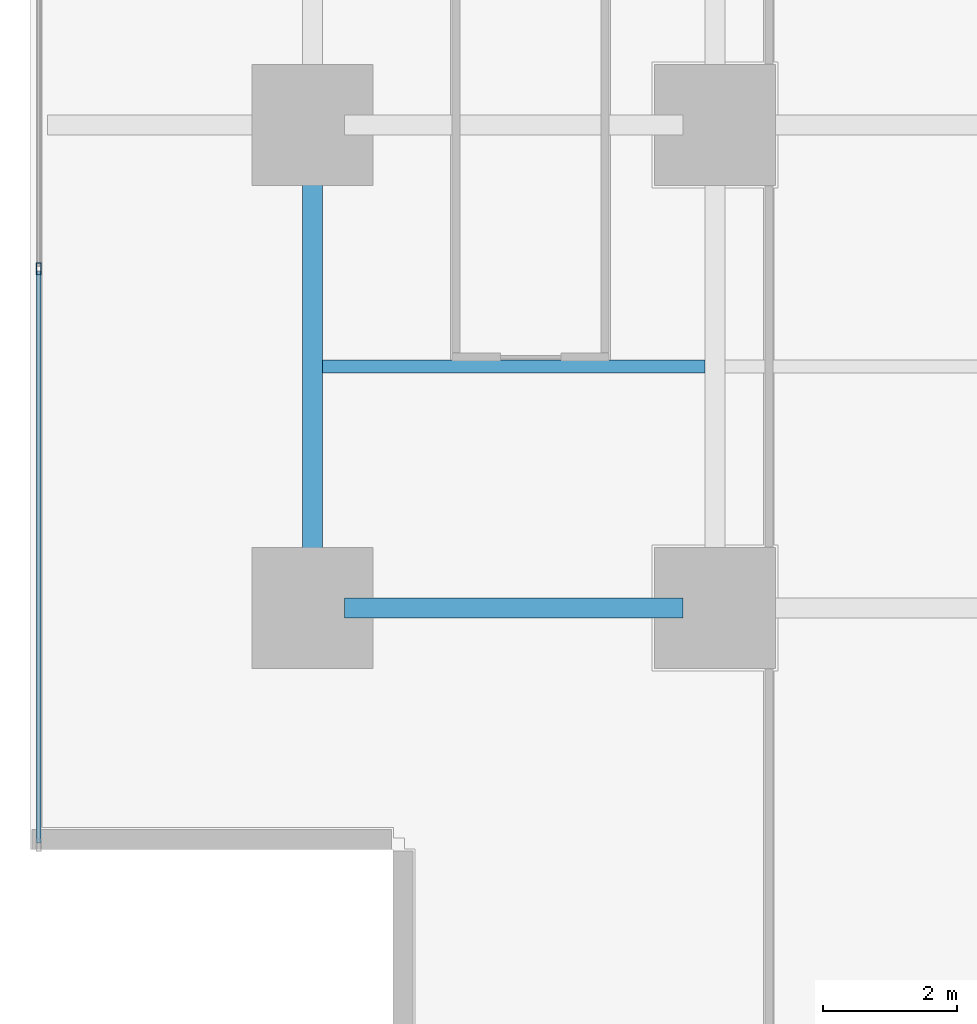
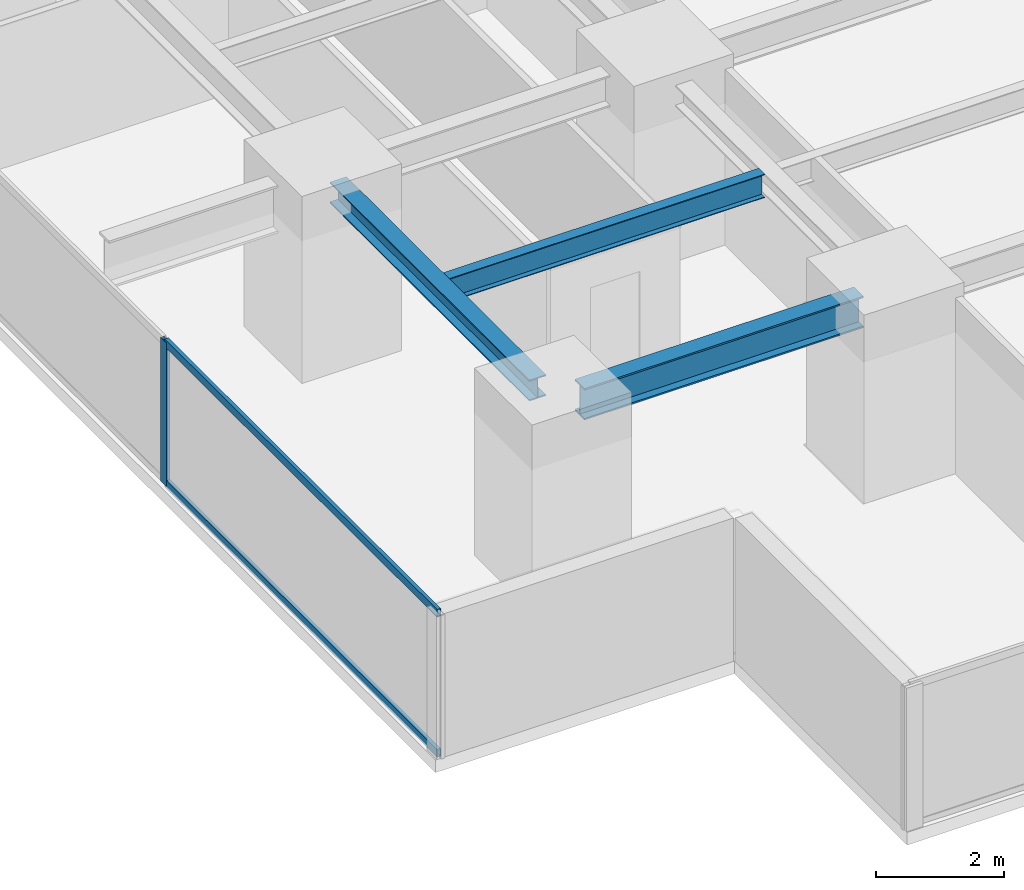
# One storey, part 3 of 33: 3 beams, 3 members, 1 element without a shape of its own.
"""IFC4 building model written with IfcOpenShell, lengths in metres."""

from ifc_helpers import new_model, si_unit, direction, frame, origin, origin_2d, place, context, subcontext, project, spatial, hollow_rectangle, i_section, extrude, source, transform, mapped, material, layer, layer_set, material_profile, profile_set, type_object, element, aggregate, save


model = new_model("IFC4")

# Units and contexts
model_context = context("Model", 3, precision=1e-05, world=origin(), true_north=direction((0.0, 1.0)))
body_context = subcontext(model_context, "Body", "Model", "MODEL_VIEW")
ifc_project = project(units=[si_unit("LENGTHUNIT", "METRE"), si_unit("AREAUNIT", "SQUARE_METRE"), si_unit("VOLUMEUNIT", "CUBIC_METRE"), si_unit("PLANEANGLEUNIT", "RADIAN"), si_unit("MASSUNIT", "GRAM", prefix="KILO")], contexts=[model_context])

# Site, building, storey
site_placement = place(None, origin())
site = spatial("IfcSite", under=ifc_project, at=site_placement, CompositionType="ELEMENT")
building_placement = place(site_placement, origin())
building = spatial("IfcBuilding", under=site, at=building_placement, Name="Sumidabori Civic Tower", CompositionType="ELEMENT")
storey_placement = place(building_placement, frame((0.0, 0.0, 23.60009765625)))
storey = spatial("IfcBuildingStorey", under=building, at=storey_placement, Name="L05", CompositionType="ELEMENT", Elevation=23.60009765625)

# Beams
ifc_material_1 = material(Name="Steel SN490", Category="steel")
ifc_material_profile_1 = material_profile(ifc_material_1, i_section(OverallWidth=0.300048828125, OverallDepth=0.60009765625, WebThickness=0.015380859375, FlangeThickness=0.030029296875, at=origin_2d()), Name="HE 600 B")
ifc_profile_set_1 = profile_set([ifc_material_profile_1], Name="Steel SN490")
beam_type_1 = type_object("IfcBeamType", Name="BM-GIRD-600", PredefinedType="BEAM", material=ifc_profile_set_1)
shared_shape_1 = source(origin(), body_context, "Body", "SweptSolid", [
    extrude(i_section(OverallWidth=0.300048828125, OverallDepth=0.60009765625, WebThickness=0.015380859375, FlangeThickness=0.030029296875, at=origin_2d()), origin(), (0.0, 0.0, 1.0), 5.0400390625),
])
beam_1_placement = place(storey_placement, frame((-22.320068359375, -18.0, 3.059814453125), z_axis=(1.0, 0.0, 0.0), x_axis=(0.0, 1.0, 0.0)))
element("IfcBeam", 1, at=beam_1_placement, inside=storey, type_object=beam_type_1, Name="Primary Girder L05 GX-01", PredefinedType="BEAM", context=body_context, shape_type="MappedRepresentation", body=[
    mapped(shared_shape_1, transform((0.0, 0.0, 0.0), x_axis=(1.0, 0.0, 0.0), y_axis=(0.0, 1.0, 0.0), z_axis=(0.0, 0.0, 1.0), scale=1.0)),
])
ifc_material_profile_2 = material_profile(ifc_material_1, i_section(OverallWidth=0.300048828125, OverallDepth=0.39990234375, WebThickness=0.013427734375, FlangeThickness=0.02392578125, at=origin_2d()), Name="HE 400 B")
ifc_profile_set_2 = profile_set([ifc_material_profile_2], Name="Steel SN490")
beam_type_2 = type_object("IfcBeamType", Name="BM-GIRD-400", PredefinedType="BEAM", material=ifc_profile_set_2)
shared_shape_2 = source(origin(), body_context, "Body", "SweptSolid", [
    extrude(i_section(OverallWidth=0.300048828125, OverallDepth=0.39990234375, WebThickness=0.013427734375, FlangeThickness=0.02392578125, at=origin_2d()), origin(), (0.0, 0.0, 1.0), 6.239990234375),
])
beam_2_placement = place(storey_placement, frame((-22.800048828125, -17.52001953125, 3.159912109375), z_axis=(0.0, 1.0, 0.0), x_axis=(-1.0, 0.0, 0.0)))
element("IfcBeam", 2, at=beam_2_placement, inside=storey, type_object=beam_type_2, Name="Primary Girder L05 GY-21", PredefinedType="BEAM", context=body_context, shape_type="MappedRepresentation", body=[
    mapped(shared_shape_2, transform((0.0, 0.0, 0.0), x_axis=(1.0, 0.0, 0.0), y_axis=(0.0, 1.0, 0.0), z_axis=(0.0, 0.0, 1.0), scale=1.0)),
])
ifc_material_profile_3 = material_profile(ifc_material_1, i_section(OverallWidth=0.18994140625, OverallDepth=0.449951171875, WebThickness=0.009521484375, FlangeThickness=0.0146484375, at=origin_2d()), Name="IPE 450")
ifc_profile_set_3 = profile_set([ifc_material_profile_3], Name="Steel SN490")
beam_type_3 = type_object("IfcBeamType", Name="BM-JST-450", PredefinedType="JOIST", material=ifc_profile_set_3)
shared_shape_3 = source(origin(), body_context, "Body", "SweptSolid", [
    extrude(i_section(OverallWidth=0.18994140625, OverallDepth=0.449951171875, WebThickness=0.009521484375, FlangeThickness=0.0146484375, at=origin_2d()), origin(), (0.0, 0.0, 1.0), 5.699951171875),
])
beam_3_placement = place(storey_placement, frame((-22.64990234375, -14.39990234375, 3.135009765625), z_axis=(1.0, 0.0, 0.0), x_axis=(0.0, 1.0, 0.0)))
element("IfcBeam", 3, at=beam_3_placement, inside=storey, type_object=beam_type_3, Name="Outer Bay Floor Joist L05 JSTO-57", PredefinedType="JOIST", context=body_context, shape_type="MappedRepresentation", body=[
    mapped(shared_shape_3, transform((0.0, 0.0, 0.0), x_axis=(1.0, 0.0, 0.0), y_axis=(0.0, 1.0, 0.0), z_axis=(0.0, 0.0, 1.0), scale=1.0)),
])

# Curtain wall, members
ifc_material_2 = material(Name="Anodised Bronze Aluminium AW-6063-T6", Category="aluminium")
ifc_layer = layer(ifc_material_2, 0.179931640625, Name="Anodised Bronze Aluminium AW-6063-T6")
ifc_layer_set = layer_set([ifc_layer], Name="Anodised Bronze Aluminium AW-6063-T6")
curtain_wall_type = type_object("IfcCurtainWallType", Name="CW-SYS-2", PredefinedType="NOTDEFINED", material=ifc_layer_set)
curtain_wall_placement = place(storey_placement, origin())
curtain_wall = element("IfcCurtainWall", 4, at=curtain_wall_placement, inside=storey, type_object=curtain_wall_type, Name="Curtain Wall CW:L05:R11", PredefinedType="NOTDEFINED")
ifc_material_profile_4 = material_profile(ifc_material_2, hollow_rectangle(XDim=0.070068359375, YDim=0.179931640625, WallThickness=0.006103515625, at=origin_2d()), Name="ALU MULLION 180x70")
ifc_profile_set_4 = profile_set([ifc_material_profile_4], Name="Anodised Bronze Aluminium AW-6063-T6")
member_type_1 = type_object("IfcMemberType", Name="CW-MUL-180", PredefinedType="MULLION", material=ifc_profile_set_4)
shared_shape_4 = source(origin(), body_context, "Body", "SweptSolid", [
    extrude(hollow_rectangle(XDim=0.070068359375, YDim=0.179931640625, WallThickness=0.006103515625, at=origin_2d()), origin(), (0.0, 0.0, 1.0), 2.739990234375),
])
member_1_placement = place(storey_placement, frame((-26.8798828125, -12.94189453125, 0.0), z_axis=(0.0, 0.0, 1.0), x_axis=(1.0, 0.0, 0.0)))
member_1 = element("IfcMember", 5, at=member_1_placement, type_object=member_type_1, Name="CW-2 mullion 5", PredefinedType="MULLION", context=body_context, shape_type="MappedRepresentation", body=[
    mapped(shared_shape_4, transform((0.0, 0.0, 0.0), x_axis=(1.0, 0.0, 0.0), y_axis=(0.0, 1.0, 0.0), z_axis=(0.0, 0.0, 1.0), scale=1.0)),
])
ifc_material_profile_5 = material_profile(ifc_material_2, hollow_rectangle(XDim=0.06494140625, YDim=0.14990234375, WallThickness=0.0048828125, at=origin_2d()), Name="ALU TRANSOM 150x65")
ifc_profile_set_5 = profile_set([ifc_material_profile_5], Name="Anodised Bronze Aluminium AW-6063-T6")
member_type_2 = type_object("IfcMemberType", Name="CW-TRN-150", PredefinedType="USERDEFINED", material=ifc_profile_set_5)
shared_shape_5 = source(origin(), body_context, "Body", "SweptSolid", [
    extrude(hollow_rectangle(XDim=0.06494140625, YDim=0.14990234375, WallThickness=0.0048828125, at=origin_2d()), origin(), (0.0, 0.0, 1.0), 8.52294921875),
])
member_2_placement = place(storey_placement, frame((-26.8798828125, -12.97705078125, 0.032470703125), z_axis=(0.0, -1.0, 0.0), x_axis=(1.0, 0.0, 0.0)))
member_2 = element("IfcMember", 6, at=member_2_placement, type_object=member_type_2, Name="CW-2 transom 5.1", ObjectType="TRANSOM", PredefinedType="USERDEFINED", context=body_context, shape_type="MappedRepresentation", body=[
    mapped(shared_shape_5, transform((0.0, 0.0, 0.0), x_axis=(1.0, 0.0, 0.0), y_axis=(0.0, 1.0, 0.0), z_axis=(0.0, 0.0, 1.0), scale=1.0)),
])
member_3_placement = place(storey_placement, frame((-26.8798828125, -12.97705078125, 2.70751953125), z_axis=(0.0, -1.0, 0.0), x_axis=(1.0, 0.0, 0.0)))
member_3 = element("IfcMember", 7, at=member_3_placement, type_object=member_type_2, Name="CW-2 transom 5.2", ObjectType="TRANSOM", PredefinedType="USERDEFINED", context=body_context, shape_type="MappedRepresentation", body=[
    mapped(shared_shape_5, transform((0.0, 0.0, 0.0), x_axis=(1.0, 0.0, 0.0), y_axis=(0.0, 1.0, 0.0), z_axis=(0.0, 0.0, 1.0), scale=1.0)),
])
aggregate(curtain_wall, [member_1, member_2, member_3])

save(model, "model.ifc")
